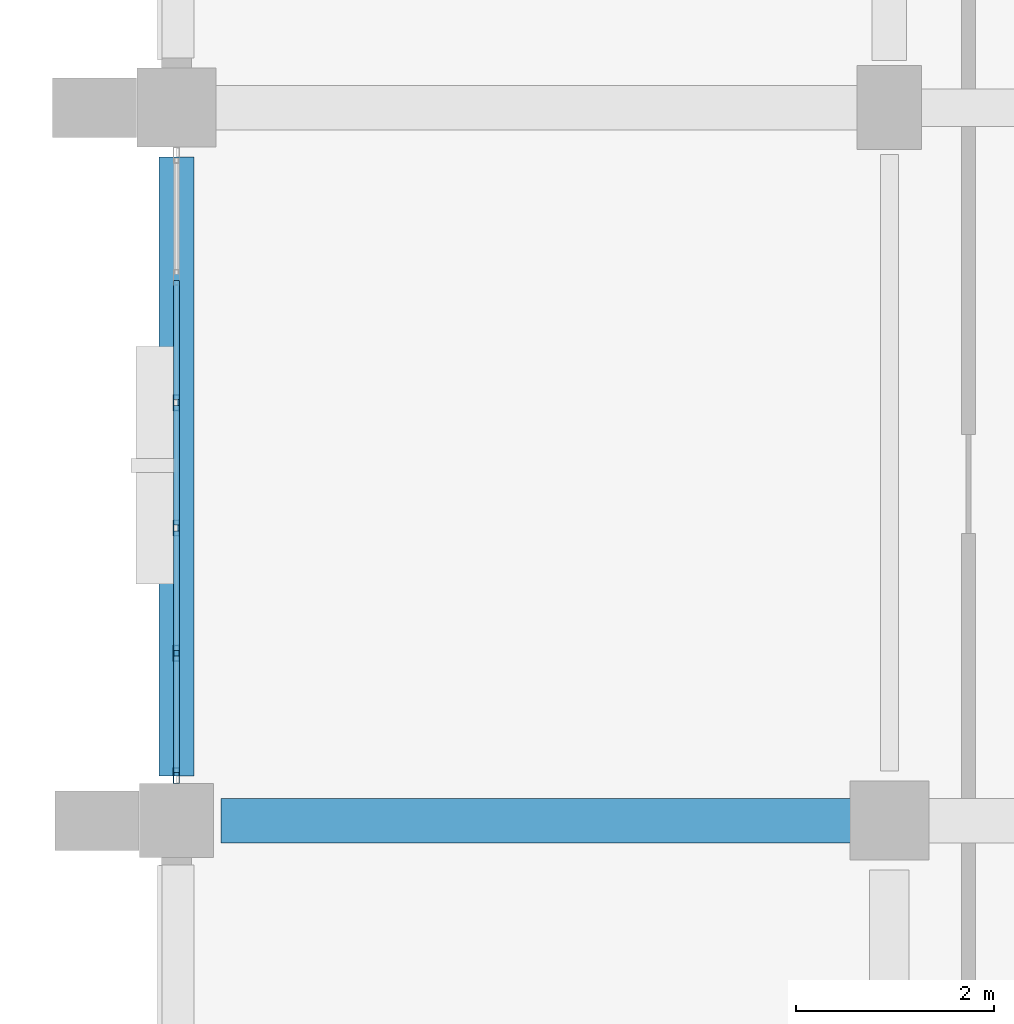
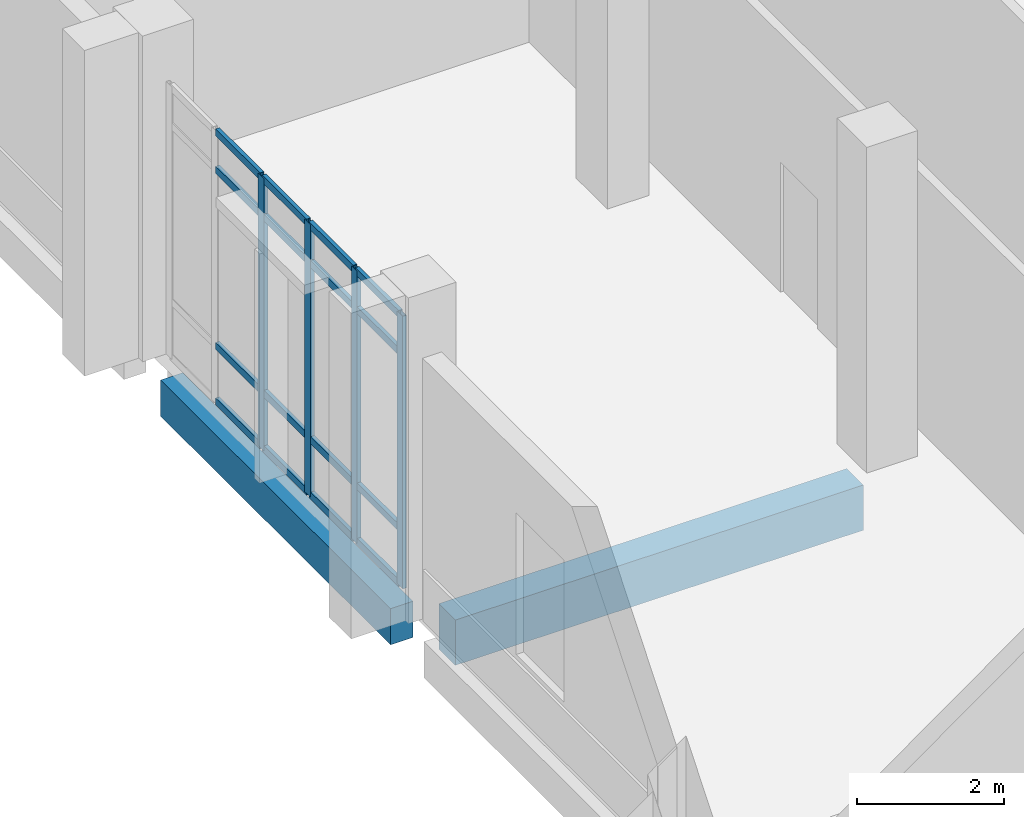
# One storey, part 21 of 110: 20 members, 2 beams, 1 element without a shape of its own.
"""IFC4 building model written with IfcOpenShell, lengths in metres."""

from ifc_helpers import new_model, si_unit, direction, frame, origin, origin_2d, place, context, subcontext, project, spatial, rectangle, hollow_rectangle, extrude, material, material_profile, profile_set, type_object, element, aggregate, save


model = new_model("IFC4")

# Units and contexts
model_context = context("Model", 3, precision=1e-05, world=origin(), true_north=direction((0.0, 1.0)))
body_context = subcontext(model_context, "Body", "Model", "MODEL_VIEW")
ifc_project = project(units=[si_unit("LENGTHUNIT", "METRE"), si_unit("AREAUNIT", "SQUARE_METRE"), si_unit("VOLUMEUNIT", "CUBIC_METRE"), si_unit("PLANEANGLEUNIT", "RADIAN"), si_unit("MASSUNIT", "GRAM", prefix="KILO")], contexts=[model_context])

# Site, building, storey
site_placement = place(None, origin())
site = spatial("IfcSite", under=ifc_project, at=site_placement, CompositionType="ELEMENT")
building_placement = place(site_placement, origin())
building = spatial("IfcBuilding", under=site, at=building_placement, Name="Kalluvel Institute of Natural Sciences", CompositionType="ELEMENT")
storey_placement = place(building_placement, origin())
storey = spatial("IfcBuildingStorey", under=building, at=storey_placement, Name="L00", CompositionType="ELEMENT", Elevation=0.0)

# Beam
ifc_material_1 = material(Name="Concrete M40", Category="concrete")
ifc_material_profile_1 = material_profile(ifc_material_1, rectangle(XDim=0.449951171875, YDim=0.75, at=origin_2d()), Name="RCB 450x750")
ifc_profile_set_1 = profile_set([ifc_material_profile_1], Name="Concrete M40")
beam_type_1 = type_object("IfcBeamType", Name="BM-RC450x750", PredefinedType="BEAM", material=ifc_profile_set_1)
beam_1_placement = place(storey_placement, frame((14.449951171875, 71.60009765625, -0.695068359375), z_axis=(1.0, 0.0, 0.0), x_axis=(0.0, 1.0, 0.0)))
element("IfcBeam", 1, at=beam_1_placement, inside=storey, type_object=beam_type_1, Name="L00 girder GIR-L00-EW-X140-Y716", PredefinedType="BEAM", context=body_context, shape_type="SweptSolid", body=[
    extrude(rectangle(XDim=0.449951171875, YDim=0.75, at=origin_2d()), origin(), (0.0, 0.0, 1.0), 6.400146484375),
])

# Curtain wall, members
ifc_material_2 = material(Name="Aluminium AW-6063 T6", Category="aluminium")
curtain_wall_type = type_object("IfcCurtainWallType", Name="CW-DRY-54", PredefinedType="USERDEFINED", material=ifc_material_2)
curtain_wall_placement = place(storey_placement, origin())
curtain_wall = element("IfcCurtainWall", 2, at=curtain_wall_placement, inside=storey, type_object=curtain_wall_type, Name="L00 Gothic lancet curtain wall CWA-L00-X140-Y720", ObjectType="UNITISED LANCET FACADE", PredefinedType="USERDEFINED")
ifc_material_profile_2 = material_profile(ifc_material_2, hollow_rectangle(XDim=0.06005859375, YDim=0.159912109375, WallThickness=0.00390625, at=origin_2d()), Name="CWM 60x160")
ifc_profile_set_2 = profile_set([ifc_material_profile_2], Name="Aluminium AW-6063 T6")
member_type_1 = type_object("IfcMemberType", Name="CWM-60x160", PredefinedType="MULLION", material=ifc_profile_set_2)
member_1_placement = place(storey_placement, frame((14.0, 72.054931640625, 0.0), z_axis=(0.0, 0.0, 1.0), x_axis=(-1.0, 0.0, 0.0)))
member_1 = element("IfcMember", 3, at=member_1_placement, type_object=member_type_1, Name="CW-04 mullion 1", PredefinedType="MULLION", context=body_context, shape_type="SweptSolid", body=[
    extrude(hollow_rectangle(XDim=0.06005859375, YDim=0.159912109375, WallThickness=0.00390625, at=origin_2d()), origin(), (0.0, 0.0, 1.0), 4.52001953125),
])
member_2_placement = place(storey_placement, frame((14.0, 73.2900390625, 0.0), z_axis=(0.0, 0.0, 1.0), x_axis=(-1.0, 0.0, 0.0)))
member_2 = element("IfcMember", 4, at=member_2_placement, type_object=member_type_1, Name="CW-04 mullion 2", PredefinedType="MULLION", context=body_context, shape_type="SweptSolid", body=[
    extrude(hollow_rectangle(XDim=0.06005859375, YDim=0.159912109375, WallThickness=0.00390625, at=origin_2d()), origin(), (0.0, 0.0, 1.0), 4.52001953125),
])
member_3_placement = place(storey_placement, frame((14.0, 74.554931640625, 0.0), z_axis=(0.0, 0.0, 1.0), x_axis=(-1.0, 0.0, 0.0)))
member_3 = element("IfcMember", 5, at=member_3_placement, type_object=member_type_1, Name="CW-04 mullion 3", PredefinedType="MULLION", context=body_context, shape_type="SweptSolid", body=[
    extrude(hollow_rectangle(XDim=0.06005859375, YDim=0.159912109375, WallThickness=0.00390625, at=origin_2d()), origin(), (0.0, 0.0, 1.0), 4.52001953125),
])
member_4_placement = place(storey_placement, frame((14.0, 75.820068359375, 0.0), z_axis=(0.0, 0.0, 1.0), x_axis=(-1.0, 0.0, 0.0)))
member_4 = element("IfcMember", 6, at=member_4_placement, type_object=member_type_1, Name="CW-04 mullion 4", PredefinedType="MULLION", context=body_context, shape_type="SweptSolid", body=[
    extrude(hollow_rectangle(XDim=0.06005859375, YDim=0.159912109375, WallThickness=0.00390625, at=origin_2d()), origin(), (0.0, 0.0, 1.0), 4.52001953125),
])
ifc_material_profile_3 = material_profile(ifc_material_2, hollow_rectangle(XDim=0.06005859375, YDim=0.1201171875, WallThickness=0.00390625, at=origin_2d()), Name="CWT 60x120")
ifc_profile_set_3 = profile_set([ifc_material_profile_3], Name="Aluminium AW-6063 T6")
member_type_2 = type_object("IfcMemberType", Name="CWT-60x120", PredefinedType="USERDEFINED", material=ifc_profile_set_3)
member_5_placement = place(storey_placement, frame((14.0, 72.0849609375, 0.030029296875), z_axis=(0.0, 1.0, 0.0), x_axis=(-1.0, 0.0, 0.0)))
member_5 = element("IfcMember", 7, at=member_5_placement, type_object=member_type_2, Name="CW-04 transom 1.1", ObjectType="TRANSOM", PredefinedType="USERDEFINED", context=body_context, shape_type="SweptSolid", body=[
    extrude(hollow_rectangle(XDim=0.06005859375, YDim=0.1201171875, WallThickness=0.00390625, at=origin_2d()), origin(), (0.0, 0.0, 1.0), 1.175048828125),
])
member_6_placement = place(storey_placement, frame((14.0, 72.0849609375, 0.949951171875), z_axis=(0.0, 1.0, 0.0), x_axis=(-1.0, 0.0, 0.0)))
member_6 = element("IfcMember", 8, at=member_6_placement, type_object=member_type_2, Name="CW-04 transom 1.2", ObjectType="TRANSOM", PredefinedType="USERDEFINED", context=body_context, shape_type="SweptSolid", body=[
    extrude(hollow_rectangle(XDim=0.06005859375, YDim=0.1201171875, WallThickness=0.00390625, at=origin_2d()), origin(), (0.0, 0.0, 1.0), 1.175048828125),
])
member_7_placement = place(storey_placement, frame((14.0, 72.0849609375, 3.8701171875), z_axis=(0.0, 1.0, 0.0), x_axis=(-1.0, 0.0, 0.0)))
member_7 = element("IfcMember", 9, at=member_7_placement, type_object=member_type_2, Name="CW-04 transom 1.3", ObjectType="TRANSOM", PredefinedType="USERDEFINED", context=body_context, shape_type="SweptSolid", body=[
    extrude(hollow_rectangle(XDim=0.06005859375, YDim=0.1201171875, WallThickness=0.00390625, at=origin_2d()), origin(), (0.0, 0.0, 1.0), 1.175048828125),
])
member_8_placement = place(storey_placement, frame((14.0, 72.0849609375, 4.489990234375), z_axis=(0.0, 1.0, 0.0), x_axis=(-1.0, 0.0, 0.0)))
member_8 = element("IfcMember", 10, at=member_8_placement, type_object=member_type_2, Name="CW-04 transom 1.4", ObjectType="TRANSOM", PredefinedType="USERDEFINED", context=body_context, shape_type="SweptSolid", body=[
    extrude(hollow_rectangle(XDim=0.06005859375, YDim=0.1201171875, WallThickness=0.00390625, at=origin_2d()), origin(), (0.0, 0.0, 1.0), 1.175048828125),
])
member_9_placement = place(storey_placement, frame((14.0, 73.320068359375, 0.030029296875), z_axis=(0.0, 1.0, 0.0), x_axis=(-1.0, 0.0, 0.0)))
member_9 = element("IfcMember", 11, at=member_9_placement, type_object=member_type_2, Name="CW-04 transom 2.1", ObjectType="TRANSOM", PredefinedType="USERDEFINED", context=body_context, shape_type="SweptSolid", body=[
    extrude(hollow_rectangle(XDim=0.06005859375, YDim=0.1201171875, WallThickness=0.00390625, at=origin_2d()), origin(), (0.0, 0.0, 1.0), 1.204833984375),
])
member_10_placement = place(storey_placement, frame((14.0, 73.320068359375, 0.949951171875), z_axis=(0.0, 1.0, 0.0), x_axis=(-1.0, 0.0, 0.0)))
member_10 = element("IfcMember", 12, at=member_10_placement, type_object=member_type_2, Name="CW-04 transom 2.2", ObjectType="TRANSOM", PredefinedType="USERDEFINED", context=body_context, shape_type="SweptSolid", body=[
    extrude(hollow_rectangle(XDim=0.06005859375, YDim=0.1201171875, WallThickness=0.00390625, at=origin_2d()), origin(), (0.0, 0.0, 1.0), 1.204833984375),
])
member_11_placement = place(storey_placement, frame((14.0, 73.320068359375, 3.8701171875), z_axis=(0.0, 1.0, 0.0), x_axis=(-1.0, 0.0, 0.0)))
member_11 = element("IfcMember", 13, at=member_11_placement, type_object=member_type_2, Name="CW-04 transom 2.3", ObjectType="TRANSOM", PredefinedType="USERDEFINED", context=body_context, shape_type="SweptSolid", body=[
    extrude(hollow_rectangle(XDim=0.06005859375, YDim=0.1201171875, WallThickness=0.00390625, at=origin_2d()), origin(), (0.0, 0.0, 1.0), 1.204833984375),
])
member_12_placement = place(storey_placement, frame((14.0, 73.320068359375, 4.489990234375), z_axis=(0.0, 1.0, 0.0), x_axis=(-1.0, 0.0, 0.0)))
member_12 = element("IfcMember", 14, at=member_12_placement, type_object=member_type_2, Name="CW-04 transom 2.4", ObjectType="TRANSOM", PredefinedType="USERDEFINED", context=body_context, shape_type="SweptSolid", body=[
    extrude(hollow_rectangle(XDim=0.06005859375, YDim=0.1201171875, WallThickness=0.00390625, at=origin_2d()), origin(), (0.0, 0.0, 1.0), 1.204833984375),
])
member_13_placement = place(storey_placement, frame((14.0, 74.5849609375, 0.030029296875), z_axis=(0.0, 1.0, 0.0), x_axis=(-1.0, 0.0, 0.0)))
member_13 = element("IfcMember", 15, at=member_13_placement, type_object=member_type_2, Name="CW-04 transom 3.1", ObjectType="TRANSOM", PredefinedType="USERDEFINED", context=body_context, shape_type="SweptSolid", body=[
    extrude(hollow_rectangle(XDim=0.06005859375, YDim=0.1201171875, WallThickness=0.00390625, at=origin_2d()), origin(), (0.0, 0.0, 1.0), 1.205078125),
])
member_14_placement = place(storey_placement, frame((14.0, 74.5849609375, 0.949951171875), z_axis=(0.0, 1.0, 0.0), x_axis=(-1.0, 0.0, 0.0)))
member_14 = element("IfcMember", 16, at=member_14_placement, type_object=member_type_2, Name="CW-04 transom 3.2", ObjectType="TRANSOM", PredefinedType="USERDEFINED", context=body_context, shape_type="SweptSolid", body=[
    extrude(hollow_rectangle(XDim=0.06005859375, YDim=0.1201171875, WallThickness=0.00390625, at=origin_2d()), origin(), (0.0, 0.0, 1.0), 1.205078125),
])
member_15_placement = place(storey_placement, frame((14.0, 74.5849609375, 3.8701171875), z_axis=(0.0, 1.0, 0.0), x_axis=(-1.0, 0.0, 0.0)))
member_15 = element("IfcMember", 17, at=member_15_placement, type_object=member_type_2, Name="CW-04 transom 3.3", ObjectType="TRANSOM", PredefinedType="USERDEFINED", context=body_context, shape_type="SweptSolid", body=[
    extrude(hollow_rectangle(XDim=0.06005859375, YDim=0.1201171875, WallThickness=0.00390625, at=origin_2d()), origin(), (0.0, 0.0, 1.0), 1.205078125),
])
member_16_placement = place(storey_placement, frame((14.0, 74.5849609375, 4.489990234375), z_axis=(0.0, 1.0, 0.0), x_axis=(-1.0, 0.0, 0.0)))
member_16 = element("IfcMember", 18, at=member_16_placement, type_object=member_type_2, Name="CW-04 transom 3.4", ObjectType="TRANSOM", PredefinedType="USERDEFINED", context=body_context, shape_type="SweptSolid", body=[
    extrude(hollow_rectangle(XDim=0.06005859375, YDim=0.1201171875, WallThickness=0.00390625, at=origin_2d()), origin(), (0.0, 0.0, 1.0), 1.205078125),
])
member_17_placement = place(storey_placement, frame((14.0, 75.85009765625, 0.030029296875), z_axis=(0.0, 1.0, 0.0), x_axis=(-1.0, 0.0, 0.0)))
member_17 = element("IfcMember", 19, at=member_17_placement, type_object=member_type_2, Name="CW-04 transom 4.1", ObjectType="TRANSOM", PredefinedType="USERDEFINED", context=body_context, shape_type="SweptSolid", body=[
    extrude(hollow_rectangle(XDim=0.06005859375, YDim=0.1201171875, WallThickness=0.00390625, at=origin_2d()), origin(), (0.0, 0.0, 1.0), 1.204833984375),
])
member_18_placement = place(storey_placement, frame((14.0, 75.85009765625, 0.949951171875), z_axis=(0.0, 1.0, 0.0), x_axis=(-1.0, 0.0, 0.0)))
member_18 = element("IfcMember", 20, at=member_18_placement, type_object=member_type_2, Name="CW-04 transom 4.2", ObjectType="TRANSOM", PredefinedType="USERDEFINED", context=body_context, shape_type="SweptSolid", body=[
    extrude(hollow_rectangle(XDim=0.06005859375, YDim=0.1201171875, WallThickness=0.00390625, at=origin_2d()), origin(), (0.0, 0.0, 1.0), 1.204833984375),
])
member_19_placement = place(storey_placement, frame((14.0, 75.85009765625, 3.8701171875), z_axis=(0.0, 1.0, 0.0), x_axis=(-1.0, 0.0, 0.0)))
member_19 = element("IfcMember", 21, at=member_19_placement, type_object=member_type_2, Name="CW-04 transom 4.3", ObjectType="TRANSOM", PredefinedType="USERDEFINED", context=body_context, shape_type="SweptSolid", body=[
    extrude(hollow_rectangle(XDim=0.06005859375, YDim=0.1201171875, WallThickness=0.00390625, at=origin_2d()), origin(), (0.0, 0.0, 1.0), 1.204833984375),
])
member_20_placement = place(storey_placement, frame((14.0, 75.85009765625, 4.489990234375), z_axis=(0.0, 1.0, 0.0), x_axis=(-1.0, 0.0, 0.0)))
member_20 = element("IfcMember", 22, at=member_20_placement, type_object=member_type_2, Name="CW-04 transom 4.4", ObjectType="TRANSOM", PredefinedType="USERDEFINED", context=body_context, shape_type="SweptSolid", body=[
    extrude(hollow_rectangle(XDim=0.06005859375, YDim=0.1201171875, WallThickness=0.00390625, at=origin_2d()), origin(), (0.0, 0.0, 1.0), 1.204833984375),
])
aggregate(curtain_wall, [member_1, member_2, member_3, member_4, member_5, member_6, member_7, member_8, member_9, member_10, member_11, member_12, member_13, member_14, member_15, member_16, member_17, member_18, member_19, member_20])

# Beam
ifc_material_profile_4 = material_profile(ifc_material_1, rectangle(XDim=0.35009765625, YDim=0.60009765625, at=origin_2d()), Name="RCB 350x600")
ifc_profile_set_4 = profile_set([ifc_material_profile_4], Name="Concrete M40")
beam_type_2 = type_object("IfcBeamType", Name="SP-RC350x600", PredefinedType="SPANDREL", material=ifc_profile_set_4)
beam_2_placement = place(storey_placement, frame((14.0, 72.050048828125, -0.6201171875), z_axis=(0.0, 1.0, 0.0), x_axis=(-1.0, 0.0, 0.0)))
element("IfcBeam", 23, at=beam_2_placement, inside=storey, type_object=beam_type_2, Name="L00 girder GIR-L00-NS-X140-Y716", PredefinedType="SPANDREL", context=body_context, shape_type="SweptSolid", body=[
    extrude(rectangle(XDim=0.35009765625, YDim=0.60009765625, at=origin_2d()), origin(), (0.0, 0.0, 1.0), 6.25),
])

save(model, "model.ifc")
